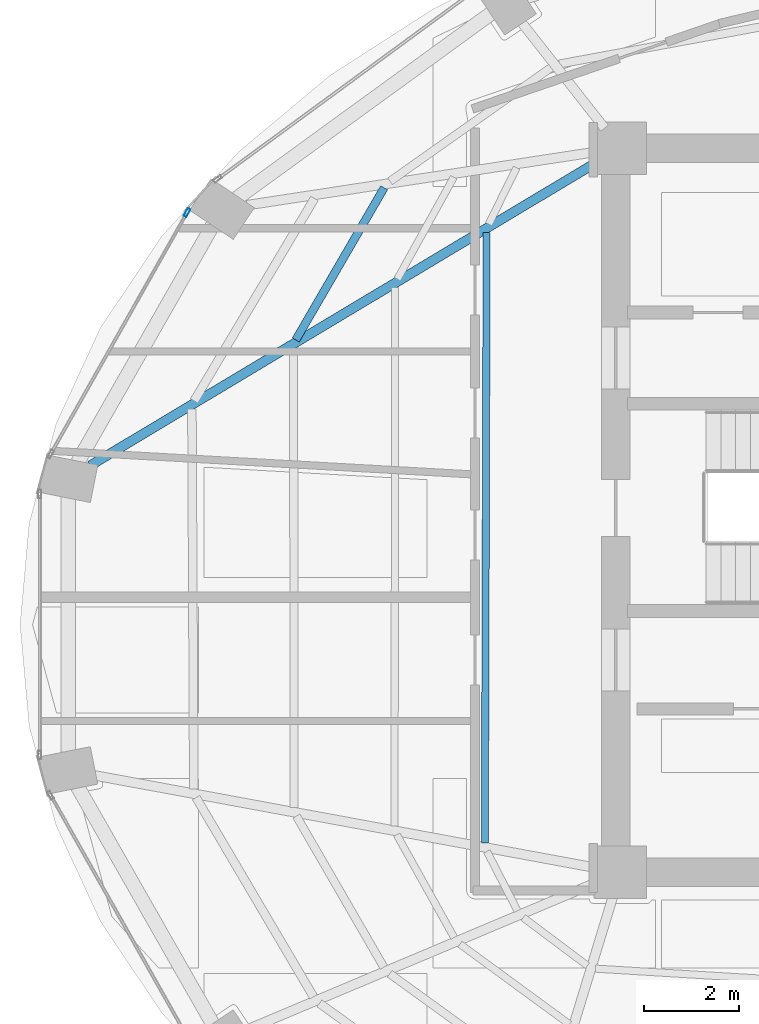
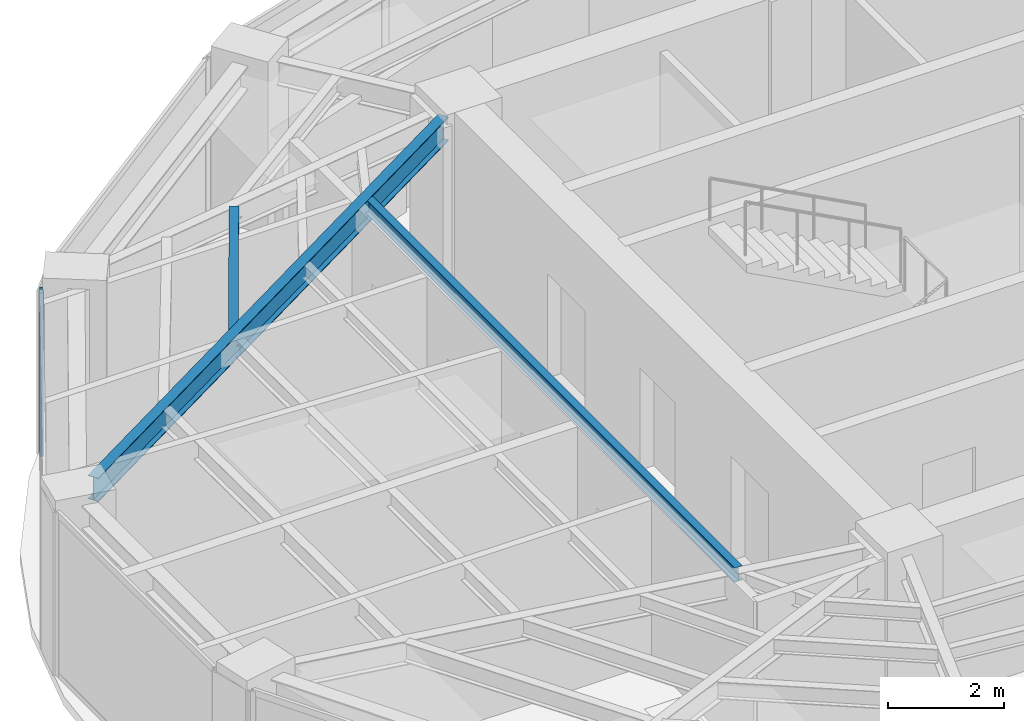
# One storey, part 9 of 23: 3 beams, 1 member, 1 element without a shape of its own.
"""IFC4 building model written with IfcOpenShell, lengths in metres."""

from ifc_helpers import new_model, si_unit, direction, frame, origin, origin_2d, place, context, subcontext, project, spatial, hollow_rectangle, i_section, extrude, material, layer, layer_set, material_profile, profile_set, type_object, element, aggregate, save


model = new_model("IFC4")

# Units and contexts
model_context = context("Model", 3, precision=1e-05, world=origin(), true_north=direction((0.0, 1.0)))
body_context = subcontext(model_context, "Body", "Model", "MODEL_VIEW")
ifc_project = project(units=[si_unit("LENGTHUNIT", "METRE"), si_unit("AREAUNIT", "SQUARE_METRE"), si_unit("VOLUMEUNIT", "CUBIC_METRE"), si_unit("PLANEANGLEUNIT", "RADIAN"), si_unit("MASSUNIT", "GRAM", prefix="KILO")], contexts=[model_context])

# Site, building, storey
site_placement = place(None, origin())
site = spatial("IfcSite", under=ifc_project, at=site_placement, CompositionType="ELEMENT")
building_placement = place(site_placement, origin())
building = spatial("IfcBuilding", under=site, at=building_placement, Name="Lazwardi Medical Tower", CompositionType="ELEMENT")
storey_placement = place(building_placement, frame((0.0, 0.0, 209.424072265625)))
storey = spatial("IfcBuildingStorey", under=building, at=storey_placement, Name="L54", CompositionType="ELEMENT", Elevation=209.424072265625)

# Beams
ifc_material_1 = material(Name="Steel S355", Category="steel")
ifc_material_profile_1 = material_profile(ifc_material_1, i_section(OverallWidth=0.199951171875, OverallDepth=0.5, WebThickness=0.01025390625, FlangeThickness=0.01611328125, at=origin_2d()), Name="IPE 500")
ifc_profile_set_1 = profile_set([ifc_material_profile_1], Name="Steel S355")
beam_type_1 = type_object("IfcBeamType", Name="BM-RG-W3", PredefinedType="BEAM", material=ifc_profile_set_1)
beam_1_placement = place(storey_placement, frame((15.27392578125, 28.937744140625, 3.197998046875), z_axis=(0.857944804603, 0.513741873176, 0.0), x_axis=(-0.513741873176, 0.857944804603, 0.0)))
element("IfcBeam", 1, at=beam_1_placement, inside=storey, type_object=beam_type_1, Name="Radial girder RG-04 R12 L54", PredefinedType="BEAM", context=body_context, shape_type="SweptSolid", body=[
    extrude(i_section(OverallWidth=0.199951171875, OverallDepth=0.5, WebThickness=0.01025390625, FlangeThickness=0.01611328125, at=origin_2d()), origin(), (0.0, 0.0, 1.0), 12.43310546875),
])
ifc_material_profile_2 = material_profile(ifc_material_1, i_section(OverallWidth=0.169921875, OverallDepth=0.360107421875, WebThickness=0.008056640625, FlangeThickness=0.0126953125, at=origin_2d()), Name="IPE 360")
ifc_profile_set_2 = profile_set([ifc_material_profile_2], Name="Steel S355")
beam_type_2 = type_object("IfcBeamType", Name="BM-SJ-02", PredefinedType="JOIST", material=ifc_profile_set_2)
beam_2_placement = place(storey_placement, frame((21.4423828125, 34.767578125, 3.267822265625), z_axis=(-0.50218018565, -0.864763008657, 0.0), x_axis=(0.864763008657, -0.50218018565, 0.0)))
element("IfcBeam", 2, at=beam_2_placement, inside=storey, type_object=beam_type_2, Name="Secondary joist SJ-02 R2 B11 L54", PredefinedType="JOIST", context=body_context, shape_type="SweptSolid", body=[
    extrude(i_section(OverallWidth=0.169921875, OverallDepth=0.360107421875, WebThickness=0.008056640625, FlangeThickness=0.0126953125, at=origin_2d()), origin(), (0.0, 0.0, 1.0), 3.69189453125),
])
ifc_material_profile_3 = material_profile(ifc_material_1, i_section(OverallWidth=0.14990234375, OverallDepth=0.300048828125, WebThickness=0.007080078125, FlangeThickness=0.0107421875, at=origin_2d()), Name="IPE 300")
ifc_profile_set_3 = profile_set([ifc_material_profile_3], Name="Steel S355")
beam_type_3 = type_object("IfcBeamType", Name="BM-SJ-03", PredefinedType="JOIST", material=ifc_profile_set_3)
beam_3_placement = place(storey_placement, frame((23.593994140625, 33.824951171875, 3.2978515625), z_axis=(-0.002897930673, -0.99999580099, 0.0), x_axis=(0.99999580099, -0.002897930673, 0.0)))
element("IfcBeam", 3, at=beam_3_placement, inside=storey, type_object=beam_type_3, Name="Secondary joist SJ-03 R4 B12 L54", PredefinedType="JOIST", context=body_context, shape_type="SweptSolid", body=[
    extrude(i_section(OverallWidth=0.14990234375, OverallDepth=0.300048828125, WebThickness=0.007080078125, FlangeThickness=0.0107421875, at=origin_2d()), origin(), (0.0, 0.0, 1.0), 12.805419921875),
])

# Curtain wall, member
ifc_material_2 = material(Name="Anodised bronze aluminium and solar control glazing", Category="aluminium")
ifc_layer = layer(ifc_material_2, 0.18994140625)
ifc_layer_set = layer_set([ifc_layer], Name="Anodised bronze aluminium and solar control glazing")
curtain_wall_type = type_object("IfcCurtainWallType", Name="CW-SYS-04", PredefinedType="NOTDEFINED", material=ifc_layer_set)
curtain_wall_placement = place(storey_placement, origin())
curtain_wall = element("IfcCurtainWall", 4, at=curtain_wall_placement, inside=storey, type_object=curtain_wall_type, Name="L54 Unitised bronze curtain wall CW-04", PredefinedType="NOTDEFINED")
ifc_material_3 = material(Name="Anodised bronze aluminium", Category="aluminium")
ifc_material_profile_4 = material_profile(ifc_material_3, hollow_rectangle(XDim=0.06494140625, YDim=0.179931640625, WallThickness=0.00390625, at=origin_2d()), Name="ALU-MULLION 180x65x4")
ifc_profile_set_4 = profile_set([ifc_material_profile_4], Name="Anodised bronze aluminium")
member_type = type_object("IfcMemberType", Name="CW-MUL-03", PredefinedType="MULLION", material=ifc_profile_set_4)
member_placement = place(storey_placement, frame((17.3056640625, 34.24560546875, 0.0), z_axis=(0.0, 0.0, 1.0), x_axis=(0.870651436011, -0.491900474661, 0.0)))
member = element("IfcMember", 5, at=member_placement, type_object=member_type, Name="CW-04 mullion 1", PredefinedType="MULLION", context=body_context, shape_type="SweptSolid", body=[
    extrude(hollow_rectangle(XDim=0.06494140625, YDim=0.179931640625, WallThickness=0.00390625, at=origin_2d()), origin(), (0.0, 0.0, 1.0), 3.447998046875),
])
aggregate(curtain_wall, [member])

save(model, "model.ifc")
